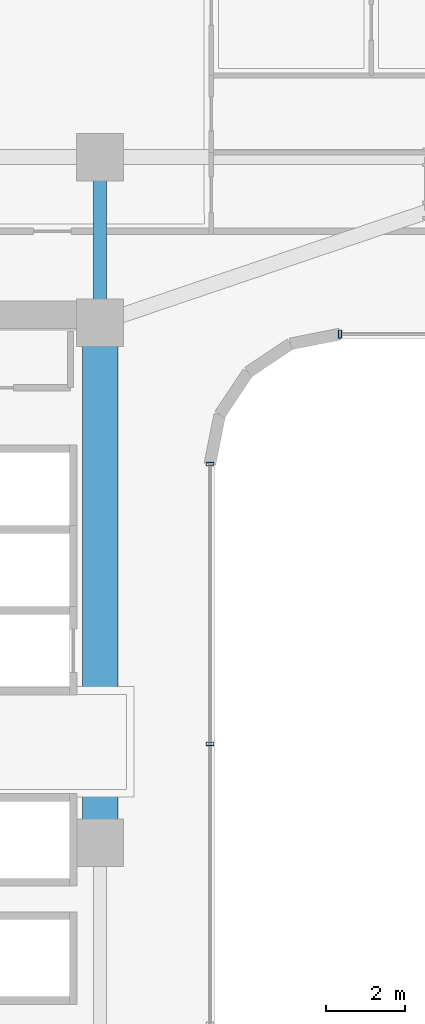
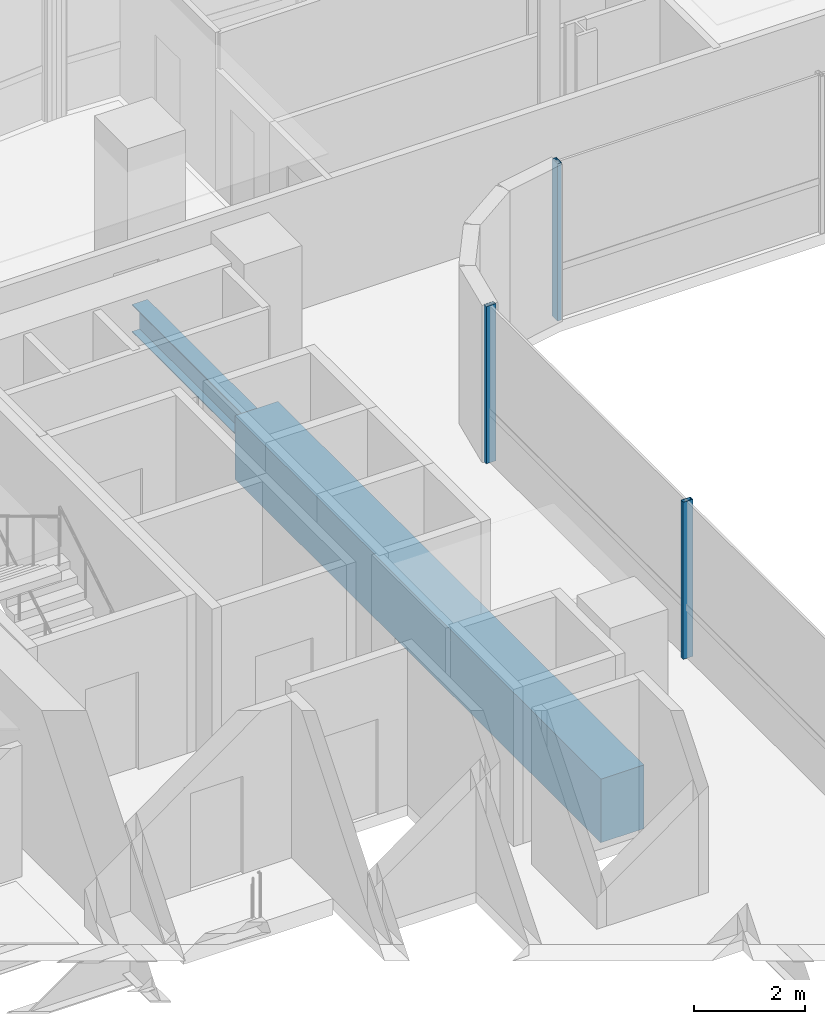
# One storey, part 9 of 35: 3 members, 2 beams, 2 elements without a shape of their own.
"""IFC4 building model written with IfcOpenShell, lengths in metres."""

from ifc_helpers import new_model, si_unit, direction, frame, origin, origin_2d, place, context, subcontext, project, spatial, rectangle, hollow_rectangle, i_section, extrude, source, transform, mapped, material, material_profile, profile_set, type_object, element, aggregate, save


model = new_model("IFC4")

# Units and contexts
model_context = context("Model", 3, precision=1e-05, world=origin(), true_north=direction((0.0, 1.0)))
body_context = subcontext(model_context, "Body", "Model", "MODEL_VIEW")
ifc_project = project(units=[si_unit("LENGTHUNIT", "METRE"), si_unit("AREAUNIT", "SQUARE_METRE"), si_unit("VOLUMEUNIT", "CUBIC_METRE"), si_unit("PLANEANGLEUNIT", "RADIAN"), si_unit("MASSUNIT", "GRAM", prefix="KILO")], contexts=[model_context])

# Site, building, storey
site_placement = place(None, origin())
site = spatial("IfcSite", under=ifc_project, at=site_placement, CompositionType="ELEMENT")
building_placement = place(site_placement, origin())
building = spatial("IfcBuilding", under=site, at=building_placement, Name="Valdorenza Pilgrim Sanctuary Tower", CompositionType="ELEMENT")
storey_placement = place(building_placement, frame((0.0, 0.0, 105.699951171875)))
storey = spatial("IfcBuildingStorey", under=building, at=storey_placement, Name="L26", CompositionType="ELEMENT", Elevation=105.699951171875)

# Beams
ifc_material_1 = material(Name="Concrete C60/75", Category="concrete")
ifc_material_profile_1 = material_profile(ifc_material_1, rectangle(XDim=0.89990234375, YDim=1.39990234375, at=origin_2d()), Name="RC 1400x900")
ifc_profile_set_1 = profile_set([ifc_material_profile_1], Name="Concrete C60/75")
beam_type_1 = type_object("IfcBeamType", Name="STR-BM-LNT-1400", PredefinedType="LINTEL", material=ifc_profile_set_1)
shared_shape_1 = source(origin(), body_context, "Body", "SweptSolid", [
    extrude(rectangle(XDim=0.89990234375, YDim=1.39990234375, at=origin_2d()), origin(), (0.0, 0.0, 1.0), 13.2001953125),
])
beam_1_placement = place(storey_placement, frame((-12.39990234375, -2.60009765625, -0.739990234375), z_axis=(0.0, 1.0, 0.0), x_axis=(-1.0, 0.0, 0.0)))
element("IfcBeam", 1, at=beam_1_placement, inside=storey, type_object=beam_type_1, Name="L26 Core A Coupling Lintel Girder", PredefinedType="LINTEL", context=body_context, shape_type="MappedRepresentation", body=[
    mapped(shared_shape_1, transform((0.0, 0.0, 0.0), x_axis=(1.0, 0.0, 0.0), y_axis=(0.0, 1.0, 0.0), z_axis=(0.0, 0.0, 1.0), scale=1.0)),
])
ifc_material_2 = material(Name="Steel ASTM A992 Grade 50", Category="steel")
ifc_material_profile_2 = material_profile(ifc_material_2, i_section(OverallWidth=0.323974609375, OverallDepth=0.611083984375, WebThickness=0.0126953125, FlangeThickness=0.01904296875, at=origin_2d()), Name="W24X104")
ifc_profile_set_2 = profile_set([ifc_material_profile_2], Name="Steel ASTM A992 Grade 50")
beam_type_2 = type_object("IfcBeamType", Name="STR-BM-GRD-W24B", PredefinedType="BEAM", material=ifc_profile_set_2)
shared_shape_2 = source(origin(), body_context, "Body", "SweptSolid", [
    extrude(i_section(OverallWidth=0.323974609375, OverallDepth=0.611083984375, WebThickness=0.0126953125, FlangeThickness=0.01904296875, at=origin_2d()), origin(), (0.0, 0.0, 1.0), 4.199951171875),
])
beam_2_placement = place(storey_placement, frame((-12.39990234375, 10.60009765625, -0.54541015625), z_axis=(0.0, 1.0, 0.0), x_axis=(-1.0, 0.0, 0.0)))
element("IfcBeam", 2, at=beam_2_placement, inside=storey, type_object=beam_type_2, Name="L26 Core Tie Girder CA-E-N1N2", PredefinedType="BEAM", context=body_context, shape_type="MappedRepresentation", body=[
    mapped(shared_shape_2, transform((0.0, 0.0, 0.0), x_axis=(1.0, 0.0, 0.0), y_axis=(0.0, 1.0, 0.0), z_axis=(0.0, 0.0, 1.0), scale=1.0)),
])

# Curtain wall, member
ifc_material_3 = material(Name="Curtain-wall IGU glazing", Category="glass")
curtain_wall_type = type_object("IfcCurtainWallType", Name="CW-SYS-02", PredefinedType="NOTDEFINED", material=ifc_material_3)
curtain_wall_1_placement = place(storey_placement, origin())
curtain_wall_1 = element("IfcCurtainWall", 3, at=curtain_wall_1_placement, inside=storey, type_object=curtain_wall_type, Name="L26 Curtain Wall CW-L26-1-36", PredefinedType="NOTDEFINED")
ifc_material_4 = material(Name="Anodised aluminium AW-6060", Category="aluminium")
ifc_material_profile_3 = material_profile(ifc_material_4, hollow_rectangle(XDim=0.0849609375, YDim=0.199951171875, WallThickness=0.0048828125, at=origin_2d()), Name="ALU-M 200x85x5")
ifc_profile_set_3 = profile_set([ifc_material_profile_3], Name="Anodised aluminium AW-6060")
member_type = type_object("IfcMemberType", Name="CW-MUL-02", PredefinedType="MULLION", material=ifc_profile_set_3)
shared_shape_3 = source(origin(), body_context, "Body", "SweptSolid", [
    extrude(hollow_rectangle(XDim=0.0849609375, YDim=0.199951171875, WallThickness=0.0048828125, at=origin_2d()), origin(), (0.0, 0.0, 1.0), 3.4599609375),
])
member_1_placement = place(storey_placement, frame((-6.310791015625, 10.31005859375, 0.0), z_axis=(0.0, 0.0, 1.0), x_axis=(-1.0, 0.0, 0.0)))
member_1 = element("IfcMember", 4, at=member_1_placement, type_object=member_type, Name="CW-L26-1-36 Mullion 4", PredefinedType="MULLION", context=body_context, shape_type="MappedRepresentation", body=[
    mapped(shared_shape_3, transform((0.0, 0.0, 0.0), x_axis=(1.0, 0.0, 0.0), y_axis=(0.0, 1.0, 0.0), z_axis=(0.0, 0.0, 1.0), scale=1.0)),
])
aggregate(curtain_wall_1, [member_1])

# Curtain wall, members
curtain_wall_2_placement = place(storey_placement, origin())
curtain_wall_2 = element("IfcCurtainWall", 5, at=curtain_wall_2_placement, inside=storey, type_object=curtain_wall_type, Name="L26 Curtain Wall CW-L26-1-41", PredefinedType="NOTDEFINED")
member_2_placement = place(storey_placement, frame((-9.610107421875, 7.0107421875, 0.0), z_axis=(0.0, 0.0, 1.0), x_axis=(0.0, -1.0, 0.0)))
member_2 = element("IfcMember", 6, at=member_2_placement, type_object=member_type, Name="CW-L26-1-41 Mullion 1", PredefinedType="MULLION", context=body_context, shape_type="MappedRepresentation", body=[
    mapped(shared_shape_3, transform((0.0, 0.0, 0.0), x_axis=(1.0, 0.0, 0.0), y_axis=(0.0, 1.0, 0.0), z_axis=(0.0, 0.0, 1.0), scale=1.0)),
])
member_3_placement = place(storey_placement, frame((-9.610107421875, -0.089111328125, 0.0), z_axis=(0.0, 0.0, 1.0), x_axis=(0.0, -1.0, 0.0)))
member_3 = element("IfcMember", 7, at=member_3_placement, type_object=member_type, Name="CW-L26-1-41 Mullion 2", PredefinedType="MULLION", context=body_context, shape_type="MappedRepresentation", body=[
    mapped(shared_shape_3, transform((0.0, 0.0, 0.0), x_axis=(1.0, 0.0, 0.0), y_axis=(0.0, 1.0, 0.0), z_axis=(0.0, 0.0, 1.0), scale=1.0)),
])
aggregate(curtain_wall_2, [member_2, member_3])

save(model, "model.ifc")
